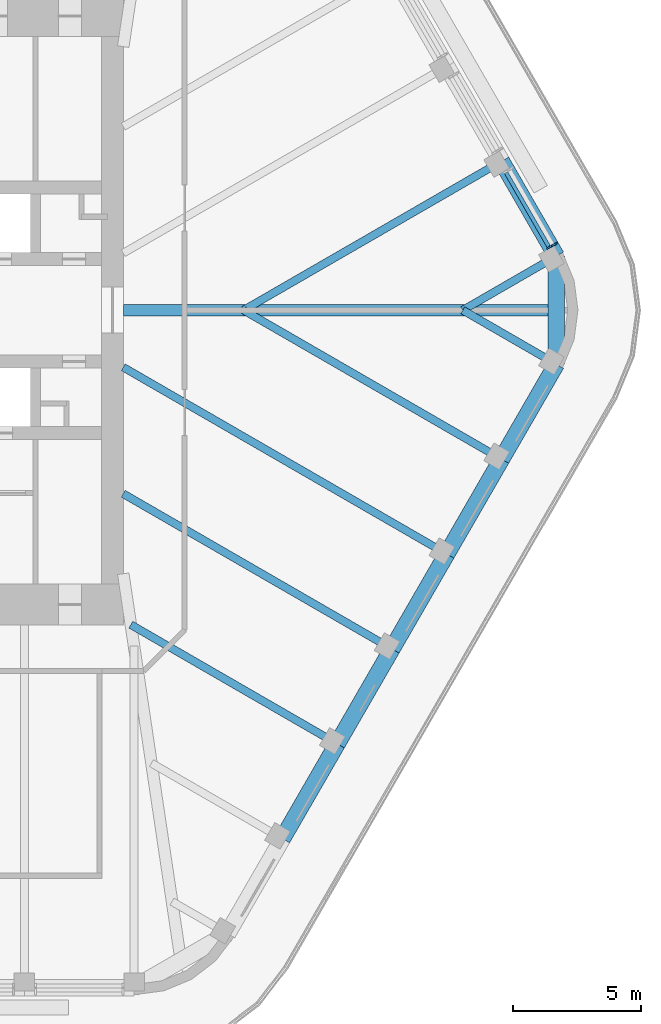
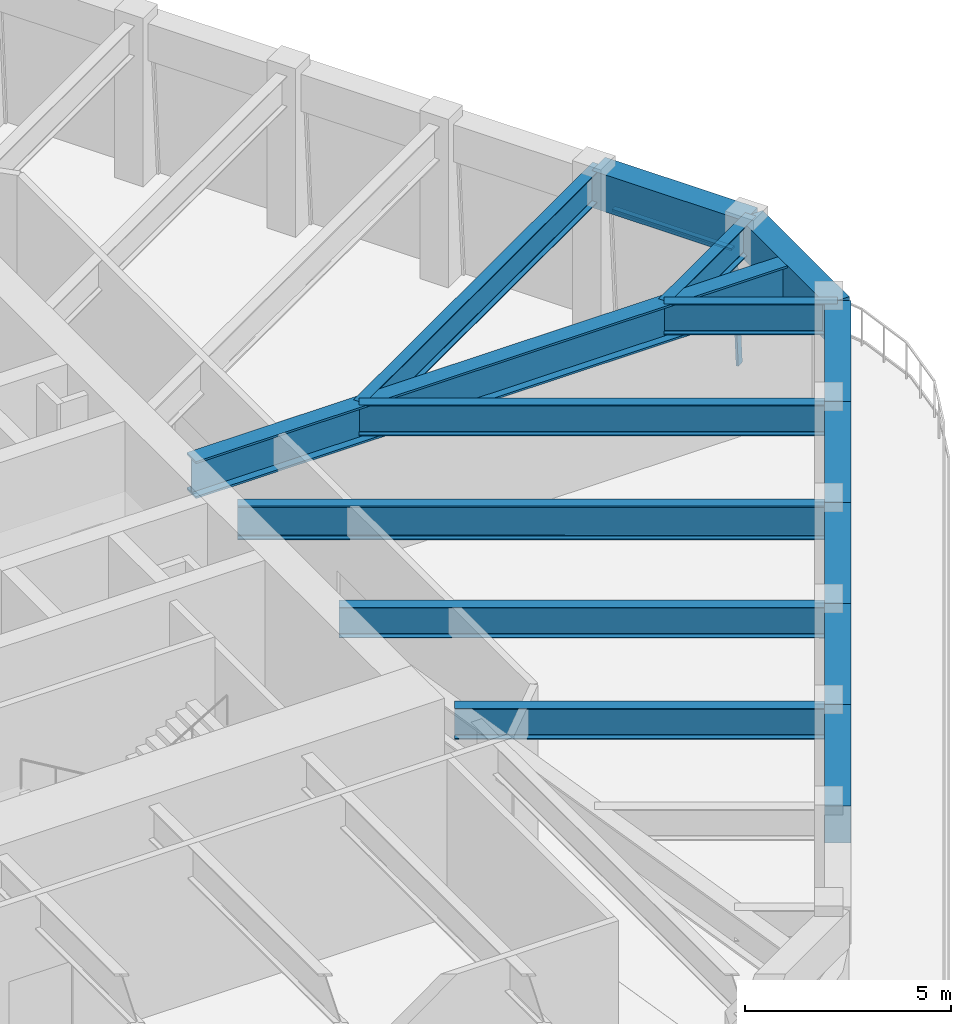
# One storey, part 3 of 13: 15 beams, 2 members, 1 element without a shape of its own.
"""IFC4 building model written with IfcOpenShell, lengths in metres."""

import ifcopenshell
import ifcopenshell.guid

model = None  # the IFC model being written
_history = None  # IfcOwnerHistory: only IFC2X3 demands one
_inside = {}  # id of a spatial element -> (the spatial element, [elements in it])
_under = {}  # id of a project, library or spatial element -> (it, [spatial elements below it])
_declared = {}  # id of a project -> (the project, [libraries it declares])
_typed = {}  # id of a type object -> (the type object, [elements of that type])
_made_of = {}  # id of a material, layer set ... -> (it, [elements and type objects made of it])


def new_model(schema):
    """Start an empty IFC model of exactly this schema.

    Asked for "IFC4X3", IfcOpenShell would pick the latest addendum, in which some entities
    have other attributes; the version numbers below select the first issue.
    IFC2X3 requires an IfcOwnerHistory on every rooted entity: one is made here for all.
    """
    global model, _history
    if schema == "IFC4X3":
        model = ifcopenshell.file(schema_version=(4, 3, 0, 0))
    else:
        model = ifcopenshell.file(schema=schema)
    _inside.clear()
    _under.clear()
    _declared.clear()
    _typed.clear()
    _made_of.clear()
    _history = None
    if model.schema == "IFC2X3":
        org = make("IfcOrganization", Name="unknown")
        user = make(
            "IfcPersonAndOrganization",
            ThePerson=make("IfcPerson", FamilyName="unknown"),
            TheOrganization=org,
        )
        app = make(
            "IfcApplication",
            ApplicationDeveloper=org,
            Version="unknown",
            ApplicationFullName="unknown",
            ApplicationIdentifier="unknown",
        )
        _history = make(
            "IfcOwnerHistory",
            OwningUser=user,
            OwningApplication=app,
            ChangeAction="ADDED",
            CreationDate=0,
        )
    return model


def make(cls, **values):
    """One entity of the class cls with the attributes given. An attribute that is None is left unset."""
    return model.create_entity(
        cls, **{name: value for name, value in values.items() if value is not None}
    )


def rooted(cls, **values):
    """An entity with a GlobalId (a new one), such as an element, a storey or a relation."""
    return make(cls, GlobalId=ifcopenshell.guid.new(), OwnerHistory=_history, **values)


def si_unit(unit_type, name, prefix=None):
    """IfcSIUnit, for example si_unit("LENGTHUNIT", "METRE", prefix="MILLI")."""
    return make("IfcSIUnit", UnitType=unit_type, Prefix=prefix, Name=name)


def assignment(units):
    """IfcUnitAssignment: the units of a project."""
    return None if units is None else make("IfcUnitAssignment", Units=units)


def point(xyz):
    """IfcCartesianPoint."""
    return None if xyz is None else make("IfcCartesianPoint", Coordinates=xyz)


def direction(xyz):
    """IfcDirection."""
    return None if xyz is None else make("IfcDirection", DirectionRatios=xyz)


def frame(location, z_axis=None, x_axis=None):
    """IfcAxis2Placement3D, a coordinate frame: its origin and axes. An axis left out is left unset."""
    return make(
        "IfcAxis2Placement3D",
        Location=point(location),
        Axis=direction(z_axis),
        RefDirection=direction(x_axis),
    )


def frame_2d(location, x_axis=None):
    """IfcAxis2Placement2D, a coordinate frame in the plane: its origin and x axis."""
    return make(
        "IfcAxis2Placement2D", Location=point(location), RefDirection=direction(x_axis)
    )


def origin():
    """The frame at (0, 0, 0) with its axes left unset."""
    return frame((0.0, 0.0, 0.0))


def origin_2d():
    """The frame at (0, 0) in the plane with its x axis left unset."""
    return frame_2d((0.0, 0.0))


def place(relative_to, where):
    """IfcLocalPlacement: puts the frame where relative to a parent placement (None: the world)."""
    return make(
        "IfcLocalPlacement", PlacementRelTo=relative_to, RelativePlacement=where
    )


def context(
    kind, dimensions, precision=None, world=None, true_north=None, identifier=None
):
    """IfcGeometricRepresentationContext, for example the 3D "Model" context."""
    return make(
        "IfcGeometricRepresentationContext",
        ContextIdentifier=identifier,
        ContextType=kind,
        CoordinateSpaceDimension=dimensions,
        Precision=precision,
        WorldCoordinateSystem=world,
        TrueNorth=true_north,
    )


def subcontext(parent, identifier, kind, view, scale=None):
    """IfcGeometricRepresentationSubContext, for example "Body" below "Model"."""
    return make(
        "IfcGeometricRepresentationSubContext",
        ContextIdentifier=identifier,
        ContextType=kind,
        ParentContext=parent,
        TargetScale=scale,
        TargetView=view,
    )


def project(units=None, contexts=None):
    """IfcProject with its units and contexts."""
    return rooted(
        "IfcProject",
        Name="project",
        RepresentationContexts=contexts,
        UnitsInContext=assignment(units),
    )


def spatial(cls, under=None, at=None, **own):
    """A site, building, storey or space (cls), placed at a placement, below another one or the project."""
    s = rooted(cls, ObjectPlacement=at, **own)
    if under is not None:
        _under.setdefault(under.id(), (under, []))[1].append(s)
    return s


def profile(cls, at=None, kind="AREA", **sizes):
    """A parametric profile (cls). Its sizes go by their IFC names, for example OverallWidth=200.0."""
    return make(cls, ProfileType=kind, Position=at, **sizes)


def rectangle(**sizes):
    """IfcRectangleProfileDef."""
    return profile("IfcRectangleProfileDef", **sizes)


def i_section(**sizes):
    """IfcIShapeProfileDef."""
    return profile("IfcIShapeProfileDef", **sizes)


def extrude(swept, where, along, depth):
    """IfcExtrudedAreaSolid: the profile swept, set in the frame where, extruded along a direction by depth."""
    return make(
        "IfcExtrudedAreaSolid",
        SweptArea=swept,
        Position=where,
        ExtrudedDirection=direction(along),
        Depth=depth,
    )


def shape(context_of_items, identifier, shape_type, items):
    """IfcShapeRepresentation: the items that make up one representation, for example the "Body"."""
    return make(
        "IfcShapeRepresentation",
        ContextOfItems=context_of_items,
        RepresentationIdentifier=identifier,
        RepresentationType=shape_type,
        Items=items,
    )


def material(Name=None, Category=None):
    """IfcMaterial."""
    return make("IfcMaterial", Name=Name, Category=Category)


def material_profile(
    of_material, cross_section, Name=None, Category=None, Priority=None
):
    """IfcMaterialProfile: a cross section and its material."""
    return make(
        "IfcMaterialProfile",
        Name=Name,
        Material=of_material,
        Profile=cross_section,
        Priority=Priority,
        Category=Category,
    )


def profile_set(profiles, Name=None, composite=None):
    """IfcMaterialProfileSet."""
    return make(
        "IfcMaterialProfileSet",
        Name=Name,
        MaterialProfiles=profiles,
        CompositeProfile=composite,
    )


def made_of(thing, what):
    """Note that an element or type object is made of a material, layer set ...; save() writes the relation."""
    if what is not None:
        _made_of.setdefault(what.id(), (what, []))[1].append(thing)
    return thing


def type_object(cls, material=None, **own):
    """A type object (cls), such as IfcWallType, which elements share."""
    return made_of(rooted(cls, **own), material)


def element(
    cls,
    number,
    at=None,
    inside=None,
    cuts=None,
    type_object=None,
    material=None,
    context=None,
    identifier="Body",
    shape_type=None,
    held_by="IfcProductDefinitionShape",
    body=None,
    shapes=None,
    **own,
):
    """One element of the class cls, such as IfcWall. Its Tag is "e" and its number.

    at: its placement. inside: the storey or other place that contains it. cuts: it is an
    opening in that element (IfcRelVoidsElement). A single representation is given by context,
    identifier, shape_type and body (its items); several are given by shapes. held_by: the class
    of the entity that holds the representations. save() writes the other relations.
    """
    e = rooted(cls, Tag="e%d" % number, ObjectPlacement=at, **own)
    if body is not None:
        shapes = [shape(context, identifier, shape_type, body)]
    if shapes is not None:
        e.Representation = make(held_by, Representations=shapes)
    if inside is not None:
        _inside.setdefault(inside.id(), (inside, []))[1].append(e)
    if cuts is not None:
        rooted(
            "IfcRelVoidsElement", RelatingBuildingElement=cuts, RelatedOpeningElement=e
        )
    if type_object is not None:
        _typed.setdefault(type_object.id(), (type_object, []))[1].append(e)
    return made_of(e, material)


def aggregate(whole, parts):
    """IfcRelAggregates: a whole, such as a stair, and the parts it consists of."""
    return rooted("IfcRelAggregates", RelatingObject=whole, RelatedObjects=parts)


def save(model, path):
    """Write the relations noted so far, then the file.

    IfcRelAggregates (storeys below a building ...), IfcRelContainedInSpatialStructure (elements
    in a storey), IfcRelDefinesByType, IfcRelAssociatesMaterial and IfcRelDeclares: one each for
    every whole, place, type object, material and project.
    """
    for whole, parts in _under.values():
        aggregate(whole, parts)
    for where, things in _inside.values():
        rooted(
            "IfcRelContainedInSpatialStructure",
            RelatedElements=things,
            RelatingStructure=where,
        )
    for kind, things in _typed.values():
        rooted("IfcRelDefinesByType", RelatedObjects=things, RelatingType=kind)
    for what, things in _made_of.values():
        rooted("IfcRelAssociatesMaterial", RelatedObjects=things, RelatingMaterial=what)
    for by, libraries in _declared.values():
        rooted("IfcRelDeclares", RelatingContext=by, RelatedDefinitions=libraries)
    model.write(path)


model = new_model("IFC4")

# Units and contexts
model_context = context("Model", 3, precision=1e-05, world=origin(), true_north=direction((0.0, 1.0)))
body_context = subcontext(model_context, "Body", "Model", "MODEL_VIEW")
ifc_project = project(units=[si_unit("LENGTHUNIT", "METRE"), si_unit("AREAUNIT", "SQUARE_METRE"), si_unit("VOLUMEUNIT", "CUBIC_METRE"), si_unit("PLANEANGLEUNIT", "RADIAN"), si_unit("MASSUNIT", "GRAM", prefix="KILO")], contexts=[model_context])

# Site, building, storey
site_placement = place(None, origin())
site = spatial("IfcSite", under=ifc_project, at=site_placement, CompositionType="ELEMENT")
building_placement = place(site_placement, origin())
building = spatial("IfcBuilding", under=site, at=building_placement, Name="Tarfa Lantern Tower", CompositionType="ELEMENT")
storey_placement = place(building_placement, frame((0.0, 0.0, 391.300048828125)))
storey = spatial("IfcBuildingStorey", under=building, at=storey_placement, Name="L89", CompositionType="ELEMENT", Elevation=391.300048828125)

# Curtain wall, members
ifc_material_1 = material(Name="Aluminium framed curtain wall", Category="aluminium")
curtain_wall_type = type_object("IfcCurtainWallType", Name="CW5 CANTED GLAZING SKY LOBBY 3600", PredefinedType="USERDEFINED", material=ifc_material_1)
curtain_wall_placement = place(storey_placement, origin())
curtain_wall = element("IfcCurtainWall", 1, at=curtain_wall_placement, inside=storey, type_object=curtain_wall_type, Name="CW5 NE L89", ObjectType="CURTAIN WALL", PredefinedType="USERDEFINED")
ifc_material_2 = material(Name="Aluminium mullion", Category="aluminium")
ifc_material_profile_1 = material_profile(ifc_material_2, rectangle(XDim=0.06494140625, YDim=0.199951171875, at=origin_2d()), Name="AL MULLION 65x200")
ifc_profile_set_1 = profile_set([ifc_material_profile_1], Name="Aluminium mullion")
member_type_1 = type_object("IfcMemberType", Name="CWM1 MULLION 65x200", PredefinedType="MULLION", material=ifc_profile_set_1)
member_1_placement = place(storey_placement, frame((29.286376953125, 2.574462890625, 0.0), z_axis=(-0.060011397565, -0.03464017537, 0.997596456696), x_axis=(0.499919672301, -0.866071776036, 0.0)))
member_1 = element("IfcMember", 2, at=member_1_placement, type_object=member_type_1, Name="CW5 mullion 1", PredefinedType="MULLION", context=body_context, shape_type="SweptSolid", body=[
    extrude(rectangle(XDim=0.06494140625, YDim=0.199951171875, at=origin_2d()), origin(), (0.0, 0.0, 1.0), 3.608642578125),
])
ifc_material_3 = material(Name="Aluminium transom", Category="aluminium")
ifc_material_profile_2 = material_profile(ifc_material_3, rectangle(XDim=0.14990234375, YDim=0.06494140625, at=origin_2d()), Name="AL TRANSOM 150x65")
ifc_profile_set_2 = profile_set([ifc_material_profile_2], Name="Aluminium transom")
member_type_2 = type_object("IfcMemberType", Name="CWT1 TRANSOM 150x65", PredefinedType="USERDEFINED", material=ifc_profile_set_2)
member_2_placement = place(storey_placement, frame((29.0556640625, 2.478759765625, 3.5673828125), z_axis=(-0.499985139611, 0.866033983264, 0.0), x_axis=(-0.866033983264, -0.499985139611, 0.0)))
member_2 = element("IfcMember", 3, at=member_2_placement, type_object=member_type_2, Name="CW5 transom 1.2", ObjectType="TRANSOM", PredefinedType="USERDEFINED", context=body_context, shape_type="SweptSolid", body=[
    extrude(rectangle(XDim=0.14990234375, YDim=0.06494140625, at=origin_2d()), origin(), (0.0, 0.0, 1.0), 3.35205078125),
])
aggregate(curtain_wall, [member_1, member_2])

# Beams
ifc_material_4 = material(Name="Concrete C80/95", Category="concrete")
ifc_material_profile_3 = material_profile(ifc_material_4, rectangle(XDim=0.64990234375, YDim=1.10009765625, at=origin_2d()), Name="RC 650x1100")
ifc_profile_set_3 = profile_set([ifc_material_profile_3], Name="Concrete C80/95")
beam_type_1 = type_object("IfcBeamType", Name="EB4 RC 650x1100", PredefinedType="SPANDREL", material=ifc_profile_set_3)
for number, where, z_axis, x_axis, name in (
    (4, (29.3466796875, 2.110107421875, 4.14990234375), (-0.499984039138, 0.866034618596, 0.0), (-0.866034618596, -0.499984039138, 0.0), "Edge beam NE0"),
    (5, (18.6416015625, -20.651611328125, 4.14990234375), (0.500026801138, 0.866009929587, 0.0), (-0.866009929587, 0.500026801138, 0.0), "Edge beam SE1"),
    (6, (20.78271484375, -16.943359375, 4.14990234375), (0.499984039138, 0.866034618596, 0.0), (-0.866034618596, 0.499984039138, 0.0), "Edge beam SE2"),
):
    element("IfcBeam", number, at=place(storey_placement, frame(where, z_axis=z_axis, x_axis=x_axis)), inside=storey, type_object=beam_type_1, Name=name, PredefinedType="SPANDREL", context=body_context, shape_type="SweptSolid", body=[
        extrude(rectangle(XDim=0.64990234375, YDim=1.10009765625, at=origin_2d()), origin(), (0.0, 0.0, 1.0), 4.281982421875),
    ])
beam_1_placement = place(storey_placement, frame((22.923583984375, -13.235107421875, 4.14990234375), z_axis=(0.500002112793, 0.866024183959, 0.0), x_axis=(-0.866024183959, 0.500002112793, 0.0)))
element("IfcBeam", 7, at=beam_1_placement, inside=storey, type_object=beam_type_1, Name="Edge beam SE3", PredefinedType="SPANDREL", context=body_context, shape_type="SweptSolid", body=[
    extrude(rectangle(XDim=0.64990234375, YDim=1.10009765625, at=origin_2d()), origin(), (0.0, 0.0, 1.0), 4.2822265625),
])
for number, where, z_axis, x_axis, name in (
    (8, (25.064697265625, -9.526611328125, 4.14990234375), (0.500026801138, 0.866009929587, 0.0), (-0.866009929587, 0.500026801138, 0.0), "Edge beam SE4"),
    (9, (27.205810546875, -5.818359375, 4.14990234375), (0.499984039138, 0.866034618596, 0.0), (-0.866034618596, 0.499984039138, 0.0), "Edge beam SE5"),
):
    element("IfcBeam", number, at=place(storey_placement, frame(where, z_axis=z_axis, x_axis=x_axis)), inside=storey, type_object=beam_type_1, Name=name, PredefinedType="SPANDREL", context=body_context, shape_type="SweptSolid", body=[
        extrude(rectangle(XDim=0.64990234375, YDim=1.10009765625, at=origin_2d()), origin(), (0.0, 0.0, 1.0), 4.281982421875),
    ])
beam_2_placement = place(storey_placement, frame((29.3466796875, -2.110107421875, 4.14990234375), z_axis=(0.0, 1.0, 0.0), x_axis=(-1.0, 0.0, 0.0)))
element("IfcBeam", 10, at=beam_2_placement, inside=storey, type_object=beam_type_1, Name="Edge beam SE6", PredefinedType="SPANDREL", context=body_context, shape_type="SweptSolid", body=[
    extrude(rectangle(XDim=0.64990234375, YDim=1.10009765625, at=origin_2d()), origin(), (0.0, 0.0, 1.0), 4.22021484375),
])
ifc_material_5 = material(Name="Steel S460M", Category="steel")
ifc_material_profile_4 = material_profile(ifc_material_5, i_section(OverallWidth=0.449951171875, OverallDepth=1.10009765625, WebThickness=0.030029296875, FlangeThickness=0.06005859375, at=origin_2d()), Name="PG1100x450x655")
ifc_profile_set_4 = profile_set([ifc_material_profile_4], Name="Steel S460M")
beam_type_2 = type_object("IfcBeamType", Name="PG1100x450x655", PredefinedType="BEAM", material=ifc_profile_set_4)
beam_3_placement = place(storey_placement, frame((12.425048828125, 0.0, 4.14990234375), z_axis=(1.0, 0.0, 0.0), x_axis=(0.0, 1.0, 0.0)))
element("IfcBeam", 11, at=beam_3_placement, inside=storey, type_object=beam_type_2, Name="Hip girder E", PredefinedType="BEAM", context=body_context, shape_type="SweptSolid", body=[
    extrude(i_section(OverallWidth=0.449951171875, OverallDepth=1.10009765625, WebThickness=0.030029296875, FlangeThickness=0.06005859375, at=origin_2d()), origin(), (0.0, 0.0, 1.0), 16.921630859375),
])
ifc_material_profile_5 = material_profile(ifc_material_5, i_section(OverallWidth=0.302001953125, OverallDepth=1.008056640625, WebThickness=0.02099609375, FlangeThickness=0.0400390625, FilletRadius=0.030029296875, at=origin_2d()), Name="UB1016x305x349")
ifc_profile_set_5 = profile_set([ifc_material_profile_5], Name="Steel S460M")
beam_type_3 = type_object("IfcBeamType", Name="UB1016x305x349", PredefinedType="BEAM", material=ifc_profile_set_5)
beam_4_placement = place(storey_placement, frame((25.064697265625, -9.526611328125, 4.19580078125), z_axis=(-0.866029591389, 0.499992746786, 0.0), x_axis=(-0.499992746786, -0.866029591389, 0.0)))
element("IfcBeam", 12, at=beam_4_placement, inside=storey, type_object=beam_type_3, Name="Floor beam SE4", PredefinedType="BEAM", context=body_context, shape_type="SweptSolid", body=[
    extrude(i_section(OverallWidth=0.302001953125, OverallDepth=1.008056640625, WebThickness=0.02099609375, FlangeThickness=0.0400390625, FilletRadius=0.030029296875, at=origin_2d()), origin(), (0.0, 0.0, 1.0), 14.594970703125),
])
ifc_material_profile_6 = material_profile(ifc_material_5, i_section(OverallWidth=0.305419921875, OverallDepth=0.91845703125, WebThickness=0.017333984375, FlangeThickness=0.02783203125, FilletRadius=0.01904296875, at=origin_2d()), Name="UB914x305x253")
ifc_profile_set_6 = profile_set([ifc_material_profile_6], Name="Steel S460M")
beam_type_4 = type_object("IfcBeamType", Name="UB914x305x253", PredefinedType="BEAM", material=ifc_profile_set_6)
beam_5_placement = place(storey_placement, frame((29.3466796875, 2.110107421875, 4.24072265625), z_axis=(-0.866009274789, -0.500027935199, 0.0), x_axis=(0.500027935199, -0.866009274789, 0.0)))
element("IfcBeam", 13, at=beam_5_placement, inside=storey, type_object=beam_type_4, Name="Floor beam NE0", PredefinedType="BEAM", context=body_context, shape_type="SweptSolid", body=[
    extrude(i_section(OverallWidth=0.305419921875, OverallDepth=0.91845703125, WebThickness=0.017333984375, FlangeThickness=0.02783203125, FilletRadius=0.01904296875, at=origin_2d()), origin(), (0.0, 0.0, 1.0), 4.219970703125),
])
beam_6_placement = place(storey_placement, frame((27.205810546875, 5.818359375, 4.24072265625), z_axis=(-0.866024171998, -0.500002133511, 0.0), x_axis=(0.500002133511, -0.866024171998, 0.0)))
element("IfcBeam", 14, at=beam_6_placement, inside=storey, type_object=beam_type_4, Name="Floor beam NE1", PredefinedType="BEAM", context=body_context, shape_type="SweptSolid", body=[
    extrude(i_section(OverallWidth=0.305419921875, OverallDepth=0.91845703125, WebThickness=0.017333984375, FlangeThickness=0.02783203125, FilletRadius=0.01904296875, at=origin_2d()), origin(), (0.0, 0.0, 1.0), 11.63671875),
])
beam_7_placement = place(storey_placement, frame((20.78271484375, -16.943359375, 4.24072265625), z_axis=(-0.866021806508, 0.500006230613, 0.0), x_axis=(-0.500006230613, -0.866021806508, 0.0)))
element("IfcBeam", 15, at=beam_7_placement, inside=storey, type_object=beam_type_4, Name="Floor beam SE2", PredefinedType="BEAM", context=body_context, shape_type="SweptSolid", body=[
    extrude(i_section(OverallWidth=0.305419921875, OverallDepth=0.91845703125, WebThickness=0.017333984375, FlangeThickness=0.02783203125, FilletRadius=0.01904296875, at=origin_2d()), origin(), (0.0, 0.0, 1.0), 9.30908203125),
])
beam_8_placement = place(storey_placement, frame((22.923583984375, -13.235107421875, 4.24072265625), z_axis=(-0.86601856927, 0.500011837539, 0.0), x_axis=(-0.500011837539, -0.86601856927, 0.0)))
element("IfcBeam", 16, at=beam_8_placement, inside=storey, type_object=beam_type_4, Name="Floor beam SE3", PredefinedType="BEAM", context=body_context, shape_type="SweptSolid", body=[
    extrude(i_section(OverallWidth=0.305419921875, OverallDepth=0.91845703125, WebThickness=0.017333984375, FlangeThickness=0.02783203125, FilletRadius=0.01904296875, at=origin_2d()), origin(), (0.0, 0.0, 1.0), 12.122802734375),
])
beam_9_placement = place(storey_placement, frame((27.205810546875, -5.818359375, 4.24072265625), z_axis=(-0.866024171998, 0.500002133511, 0.0), x_axis=(-0.500002133511, -0.866024171998, 0.0)))
element("IfcBeam", 17, at=beam_9_placement, inside=storey, type_object=beam_type_4, Name="Floor beam SE5", PredefinedType="BEAM", context=body_context, shape_type="SweptSolid", body=[
    extrude(i_section(OverallWidth=0.305419921875, OverallDepth=0.91845703125, WebThickness=0.017333984375, FlangeThickness=0.02783203125, FilletRadius=0.01904296875, at=origin_2d()), origin(), (0.0, 0.0, 1.0), 11.63671875),
])
beam_10_placement = place(storey_placement, frame((29.3466796875, -2.110107421875, 4.24072265625), z_axis=(-0.866009274789, 0.500027935199, 0.0), x_axis=(-0.500027935199, -0.866009274789, 0.0)))
element("IfcBeam", 18, at=beam_10_placement, inside=storey, type_object=beam_type_4, Name="Floor beam SE6", PredefinedType="BEAM", context=body_context, shape_type="SweptSolid", body=[
    extrude(i_section(OverallWidth=0.305419921875, OverallDepth=0.91845703125, WebThickness=0.017333984375, FlangeThickness=0.02783203125, FilletRadius=0.01904296875, at=origin_2d()), origin(), (0.0, 0.0, 1.0), 4.219970703125),
])

save(model, "model.ifc")
